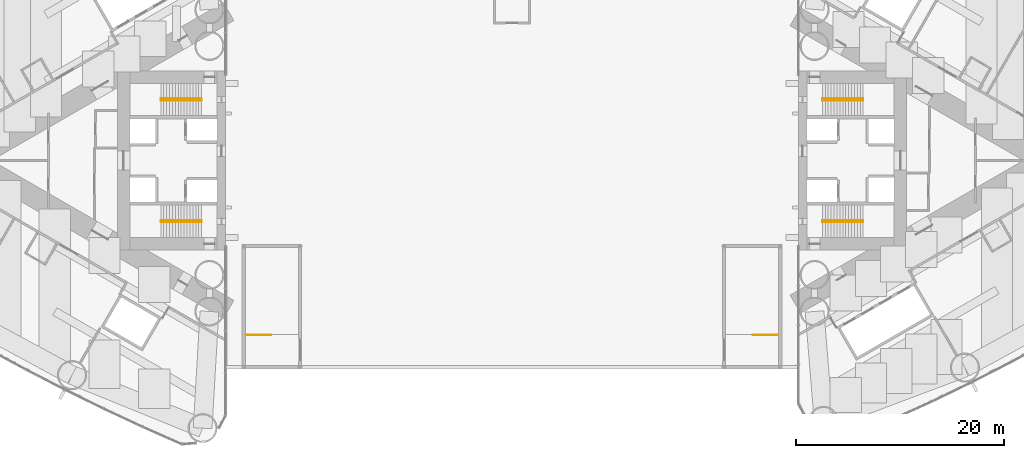
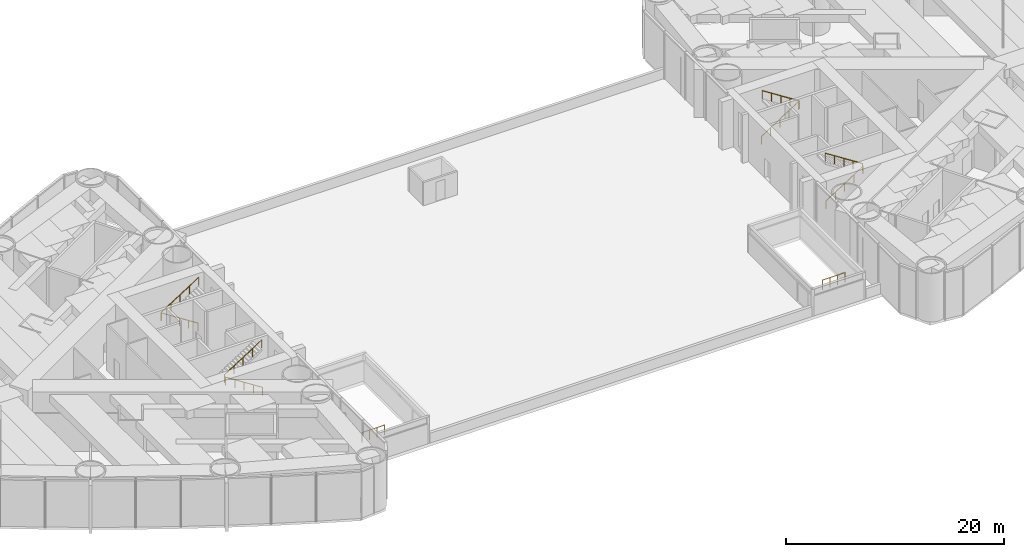
# One storey, part 23 of 23: 10 railings.
"""IFC4 building model written with IfcOpenShell, lengths in metres."""

from ifc_helpers import new_model, si_unit, direction, frame, origin, origin_2d, place, context, subcontext, project, spatial, circle, extrude, material, type_object, element, save


model = new_model("IFC4")

# Units and contexts
model_context = context("Model", 3, precision=1e-05, world=origin(), true_north=direction((0.0, 1.0)))
body_context = subcontext(model_context, "Body", "Model", "MODEL_VIEW")
ifc_project = project(units=[si_unit("LENGTHUNIT", "METRE"), si_unit("AREAUNIT", "SQUARE_METRE"), si_unit("VOLUMEUNIT", "CUBIC_METRE"), si_unit("PLANEANGLEUNIT", "RADIAN"), si_unit("MASSUNIT", "GRAM", prefix="KILO")], contexts=[model_context])

# Site, building, storey
site_placement = place(None, origin())
site = spatial("IfcSite", under=ifc_project, at=site_placement, CompositionType="ELEMENT")
building_placement = place(site_placement, origin())
building = spatial("IfcBuilding", under=site, at=building_placement, Name="Lancet Gate Hotel", CompositionType="ELEMENT")
storey_placement = place(building_placement, frame((0.0, 0.0, 12.60009765625)))
storey = spatial("IfcBuildingStorey", under=building, at=storey_placement, Name="L02", CompositionType="ELEMENT", Elevation=12.60009765625)

# Railings
ifc_material_1 = material(Name="Stainless steel handrail", Category="steel")
railing_type_1 = type_object("IfcRailingType", Name="Stair handrail 900", PredefinedType="HANDRAIL", material=ifc_material_1)
railing_1_placement = place(storey_placement, frame((-29.800048828125, 5.929931640625, 0.179931640625)))
element("IfcRailing", 1, at=railing_1_placement, inside=storey, type_object=railing_type_1, Name="ST1 handrail flight 1 L02", PredefinedType="HANDRAIL", context=body_context, shape_type="SweptSolid", body=[
    extrude(circle(Radius=0.02392578125, at=origin_2d()), frame((0.0, 0.0, 0.8759765625), z_axis=(-0.841171666519, 0.0, 0.540768182723), x_axis=(0.0, -1.0, 0.0)), (0.0, 0.0, 1.0), 4.66015625),
    extrude(circle(Radius=0.02099609375, at=origin_2d()), origin(), (0.0, 0.0, 1.0), 0.851806640625),
    extrude(circle(Radius=0.02099609375, at=origin_2d()), frame((-0.97998046875, 0.0, 0.6298828125)), (0.0, 0.0, 1.0), 0.851806640625),
    extrude(circle(Radius=0.02099609375, at=origin_2d()), frame((-1.9599609375, 0.0, 1.260009765625)), (0.0, 0.0, 1.0), 0.851806640625),
    extrude(circle(Radius=0.02099609375, at=origin_2d()), frame((-2.93994140625, 0.0, 1.89013671875)), (0.0, 0.0, 1.0), 0.851806640625),
    extrude(circle(Radius=0.02099609375, at=origin_2d()), frame((-3.919921875, 0.0, 2.52001953125)), (0.0, 0.0, 1.0), 0.851806640625),
])
railing_2_placement = place(storey_placement, frame((-33.719970703125, 5.77001953125, 2.8798828125)))
element("IfcRailing", 2, at=railing_2_placement, inside=storey, type_object=railing_type_1, Name="ST1 handrail flight 2 L02", PredefinedType="HANDRAIL", context=body_context, shape_type="SweptSolid", body=[
    extrude(circle(Radius=0.02392578125, at=origin_2d()), frame((0.0, 0.0, 0.8759765625), z_axis=(0.841171666519, 0.0, 0.540768182723), x_axis=(0.0, 1.0, 0.0)), (0.0, 0.0, 1.0), 4.66015625),
    extrude(circle(Radius=0.02099609375, at=origin_2d()), origin(), (0.0, 0.0, 1.0), 0.851806640625),
    extrude(circle(Radius=0.02099609375, at=origin_2d()), frame((0.97998046875, 0.0, 0.6298828125)), (0.0, 0.0, 1.0), 0.851806640625),
    extrude(circle(Radius=0.02099609375, at=origin_2d()), frame((1.9599609375, 0.0, 1.260009765625)), (0.0, 0.0, 1.0), 0.851806640625),
    extrude(circle(Radius=0.02099609375, at=origin_2d()), frame((2.93994140625, 0.0, 1.89013671875)), (0.0, 0.0, 1.0), 0.851806640625),
    extrude(circle(Radius=0.02099609375, at=origin_2d()), frame((3.919921875, 0.0, 2.52001953125)), (0.0, 0.0, 1.0), 0.851806640625),
])
railing_3_placement = place(storey_placement, frame((-29.800048828125, -5.929931640625, 0.179931640625)))
element("IfcRailing", 3, at=railing_3_placement, inside=storey, type_object=railing_type_1, Name="ST2 handrail flight 1 L02", PredefinedType="HANDRAIL", context=body_context, shape_type="SweptSolid", body=[
    extrude(circle(Radius=0.02392578125, at=origin_2d()), frame((0.0, 0.0, 0.8759765625), z_axis=(-0.841171666519, 0.0, 0.540768182723), x_axis=(0.0, -1.0, 0.0)), (0.0, 0.0, 1.0), 4.66015625),
    extrude(circle(Radius=0.02099609375, at=origin_2d()), origin(), (0.0, 0.0, 1.0), 0.851806640625),
    extrude(circle(Radius=0.02099609375, at=origin_2d()), frame((-0.97998046875, 0.0, 0.6298828125)), (0.0, 0.0, 1.0), 0.851806640625),
    extrude(circle(Radius=0.02099609375, at=origin_2d()), frame((-1.9599609375, 0.0, 1.260009765625)), (0.0, 0.0, 1.0), 0.851806640625),
    extrude(circle(Radius=0.02099609375, at=origin_2d()), frame((-2.93994140625, 0.0, 1.89013671875)), (0.0, 0.0, 1.0), 0.851806640625),
    extrude(circle(Radius=0.02099609375, at=origin_2d()), frame((-3.919921875, 0.0, 2.52001953125)), (0.0, 0.0, 1.0), 0.851806640625),
])
for number, where, name in (
    (4, (-33.719970703125, -5.77001953125, 2.8798828125), "ST2 handrail flight 2 L02"),
    (5, (29.800048828125, -5.929931640625, 0.179931640625), "ST3 handrail flight 1 L02"),
):
    element("IfcRailing", number, at=place(storey_placement, frame(where)), inside=storey, type_object=railing_type_1, Name=name, PredefinedType="HANDRAIL", context=body_context, shape_type="SweptSolid", body=[
        extrude(circle(Radius=0.02392578125, at=origin_2d()), frame((0.0, 0.0, 0.8759765625), z_axis=(0.841171666519, 0.0, 0.540768182723), x_axis=(0.0, 1.0, 0.0)), (0.0, 0.0, 1.0), 4.66015625),
        extrude(circle(Radius=0.02099609375, at=origin_2d()), origin(), (0.0, 0.0, 1.0), 0.851806640625),
        extrude(circle(Radius=0.02099609375, at=origin_2d()), frame((0.97998046875, 0.0, 0.6298828125)), (0.0, 0.0, 1.0), 0.851806640625),
        extrude(circle(Radius=0.02099609375, at=origin_2d()), frame((1.9599609375, 0.0, 1.260009765625)), (0.0, 0.0, 1.0), 0.851806640625),
        extrude(circle(Radius=0.02099609375, at=origin_2d()), frame((2.93994140625, 0.0, 1.89013671875)), (0.0, 0.0, 1.0), 0.851806640625),
        extrude(circle(Radius=0.02099609375, at=origin_2d()), frame((3.919921875, 0.0, 2.52001953125)), (0.0, 0.0, 1.0), 0.851806640625),
    ])
railing_4_placement = place(storey_placement, frame((33.719970703125, -5.77001953125, 2.8798828125)))
element("IfcRailing", 6, at=railing_4_placement, inside=storey, type_object=railing_type_1, Name="ST3 handrail flight 2 L02", PredefinedType="HANDRAIL", context=body_context, shape_type="SweptSolid", body=[
    extrude(circle(Radius=0.02392578125, at=origin_2d()), frame((0.0, 0.0, 0.8759765625), z_axis=(-0.841171666519, 0.0, 0.540768182723), x_axis=(0.0, -1.0, 0.0)), (0.0, 0.0, 1.0), 4.66015625),
    extrude(circle(Radius=0.02099609375, at=origin_2d()), origin(), (0.0, 0.0, 1.0), 0.851806640625),
    extrude(circle(Radius=0.02099609375, at=origin_2d()), frame((-0.97998046875, 0.0, 0.6298828125)), (0.0, 0.0, 1.0), 0.851806640625),
    extrude(circle(Radius=0.02099609375, at=origin_2d()), frame((-1.9599609375, 0.0, 1.260009765625)), (0.0, 0.0, 1.0), 0.851806640625),
    extrude(circle(Radius=0.02099609375, at=origin_2d()), frame((-2.93994140625, 0.0, 1.89013671875)), (0.0, 0.0, 1.0), 0.851806640625),
    extrude(circle(Radius=0.02099609375, at=origin_2d()), frame((-3.919921875, 0.0, 2.52001953125)), (0.0, 0.0, 1.0), 0.851806640625),
])
railing_5_placement = place(storey_placement, frame((29.800048828125, 5.929931640625, 0.179931640625)))
element("IfcRailing", 7, at=railing_5_placement, inside=storey, type_object=railing_type_1, Name="ST4 handrail flight 1 L02", PredefinedType="HANDRAIL", context=body_context, shape_type="SweptSolid", body=[
    extrude(circle(Radius=0.02392578125, at=origin_2d()), frame((0.0, 0.0, 0.8759765625), z_axis=(0.841171666519, 0.0, 0.540768182723), x_axis=(0.0, 1.0, 0.0)), (0.0, 0.0, 1.0), 4.66015625),
    extrude(circle(Radius=0.02099609375, at=origin_2d()), origin(), (0.0, 0.0, 1.0), 0.851806640625),
    extrude(circle(Radius=0.02099609375, at=origin_2d()), frame((0.97998046875, 0.0, 0.6298828125)), (0.0, 0.0, 1.0), 0.851806640625),
    extrude(circle(Radius=0.02099609375, at=origin_2d()), frame((1.9599609375, 0.0, 1.260009765625)), (0.0, 0.0, 1.0), 0.851806640625),
    extrude(circle(Radius=0.02099609375, at=origin_2d()), frame((2.93994140625, 0.0, 1.89013671875)), (0.0, 0.0, 1.0), 0.851806640625),
    extrude(circle(Radius=0.02099609375, at=origin_2d()), frame((3.919921875, 0.0, 2.52001953125)), (0.0, 0.0, 1.0), 0.851806640625),
])
railing_6_placement = place(storey_placement, frame((33.719970703125, 5.77001953125, 2.8798828125)))
element("IfcRailing", 8, at=railing_6_placement, inside=storey, type_object=railing_type_1, Name="ST4 handrail flight 2 L02", PredefinedType="HANDRAIL", context=body_context, shape_type="SweptSolid", body=[
    extrude(circle(Radius=0.02392578125, at=origin_2d()), frame((0.0, 0.0, 0.8759765625), z_axis=(-0.841171666519, 0.0, 0.540768182723), x_axis=(0.0, -1.0, 0.0)), (0.0, 0.0, 1.0), 4.66015625),
    extrude(circle(Radius=0.02099609375, at=origin_2d()), origin(), (0.0, 0.0, 1.0), 0.851806640625),
    extrude(circle(Radius=0.02099609375, at=origin_2d()), frame((-0.97998046875, 0.0, 0.6298828125)), (0.0, 0.0, 1.0), 0.851806640625),
    extrude(circle(Radius=0.02099609375, at=origin_2d()), frame((-1.9599609375, 0.0, 1.260009765625)), (0.0, 0.0, 1.0), 0.851806640625),
    extrude(circle(Radius=0.02099609375, at=origin_2d()), frame((-2.93994140625, 0.0, 1.89013671875)), (0.0, 0.0, 1.0), 0.851806640625),
    extrude(circle(Radius=0.02099609375, at=origin_2d()), frame((-3.919921875, 0.0, 2.52001953125)), (0.0, 0.0, 1.0), 0.851806640625),
])
ifc_material_2 = material(Name="Steel guard rail", Category="steel")
railing_type_2 = type_object("IfcRailingType", Name="Stair well guard 1100", PredefinedType="GUARDRAIL", material=ifc_material_2)
for number, where, name in (
    (9, (23.14990234375, -16.75, 0.0), "PS5 well guard L02"),
    (10, (-25.550048828125, -16.75, 0.0), "PS6 well guard L02"),
):
    element("IfcRailing", number, at=place(storey_placement, frame(where)), inside=storey, type_object=railing_type_2, Name=name, PredefinedType="GUARDRAIL", context=body_context, shape_type="SweptSolid", body=[
        extrude(circle(Radius=0.02392578125, at=origin_2d()), frame((0.0, 0.0, 1.076171875), z_axis=(1.0, 0.0, 0.0), x_axis=(0.0, 1.0, 0.0)), (0.0, 0.0, 1.0), 2.400146484375),
        extrude(circle(Radius=0.02099609375, at=origin_2d()), origin(), (0.0, 0.0, 1.0), 1.052001953125),
        extrude(circle(Radius=0.02099609375, at=origin_2d()), frame((0.800048828125, 0.0, 0.0)), (0.0, 0.0, 1.0), 1.052001953125),
        extrude(circle(Radius=0.02099609375, at=origin_2d()), frame((1.60009765625, 0.0, 0.0)), (0.0, 0.0, 1.0), 1.052001953125),
        extrude(circle(Radius=0.02099609375, at=origin_2d()), frame((2.400146484375, 0.0, 0.0)), (0.0, 0.0, 1.0), 1.052001953125),
    ])

save(model, "model.ifc")
